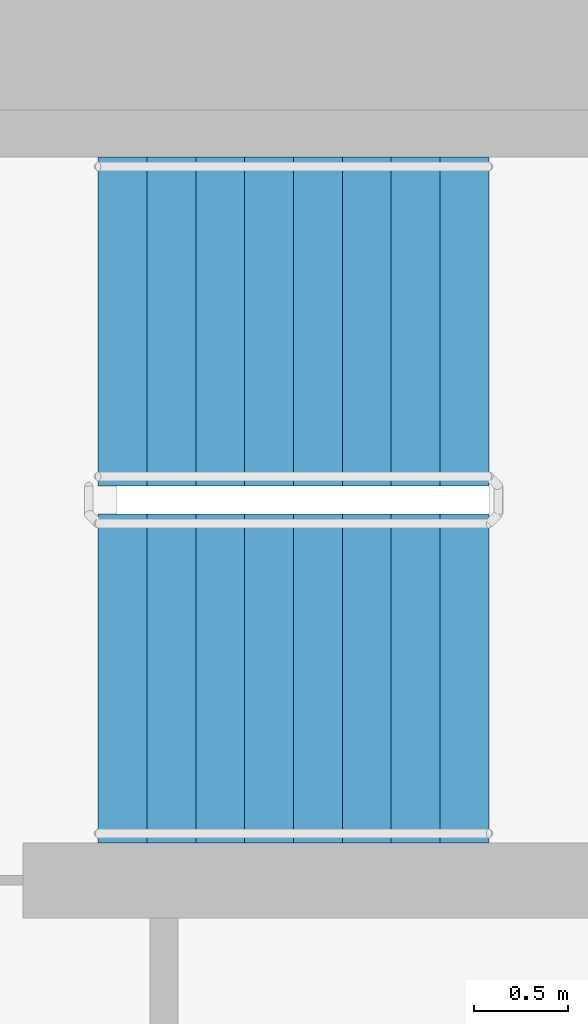
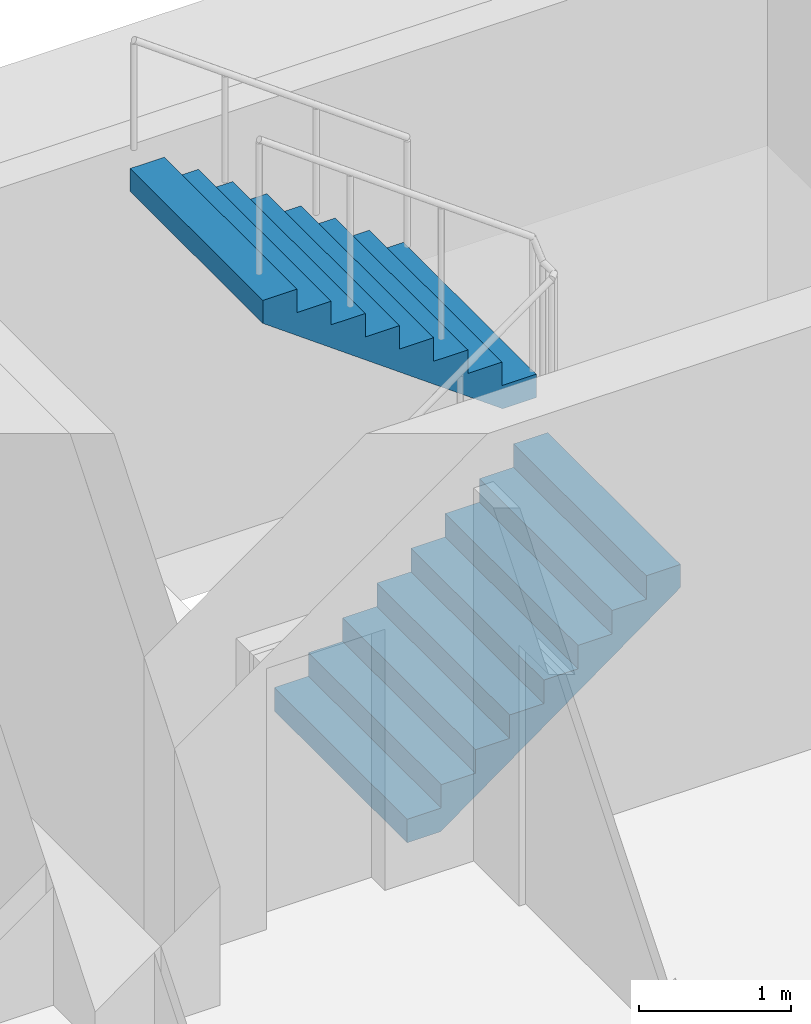
# One storey, part 17 of 22: 2 stair flights, 1 element without a shape of its own.
"""IFC4 building model written with IfcOpenShell, lengths in metres."""

from ifc_helpers import new_model, si_unit, direction, frame, origin, place, context, subcontext, project, spatial, faceted_brep, material, type_object, element, aggregate, save


model = new_model("IFC4")

# Units and contexts
model_context = context("Model", 3, precision=1e-05, world=origin(), true_north=direction((0.0, 1.0)))
body_context = subcontext(model_context, "Body", "Model", "MODEL_VIEW")
ifc_project = project(units=[si_unit("LENGTHUNIT", "METRE"), si_unit("AREAUNIT", "SQUARE_METRE"), si_unit("VOLUMEUNIT", "CUBIC_METRE"), si_unit("PLANEANGLEUNIT", "RADIAN"), si_unit("MASSUNIT", "GRAM", prefix="KILO")], contexts=[model_context])

# Site, building, storey
site_placement = place(None, origin())
site = spatial("IfcSite", under=ifc_project, at=site_placement, CompositionType="ELEMENT")
building_placement = place(site_placement, origin())
building = spatial("IfcBuilding", under=site, at=building_placement, Name="Ipe Terrace Towers", CompositionType="ELEMENT")
storey_placement = place(building_placement, frame((0.0, 0.0, 76.60009765625)))
storey = spatial("IfcBuildingStorey", under=building, at=storey_placement, Name="L20", CompositionType="ELEMENT", Elevation=76.60009765625)

# Stair, stair flights
ifc_material_1 = material(Name="Concrete C30/37", Category="concrete")
stair_type = type_object("IfcStairType", Name="Protected exit stair", PredefinedType="HALF_TURN_STAIR", material=ifc_material_1)
stair_placement = place(storey_placement, origin())
stair = element("IfcStair", 1, at=stair_placement, inside=storey, type_object=stair_type, Name="L20 Exit stair T1-C1", PredefinedType="HALF_TURN_STAIR")
ifc_material_2 = material(Name="Concrete C30/37", Category="concrete")
stair_flight_type = type_object("IfcStairFlightType", Name="Exit stair flight 1750", PredefinedType="STRAIGHT", material=ifc_material_2)
stair_flight_1_placement = place(storey_placement, frame((-26.300048828125, 2.77490234375, 0.0), z_axis=(0.0, 0.0, 1.0), x_axis=(1.0, 0.0, 0.0)))
stair_flight_1 = element("IfcStairFlight", 2, at=stair_flight_1_placement, type_object=stair_flight_type, Name="T1-ST1 flight 1", NumberOfRisers=9, NumberOfTreads=8, PredefinedType="STRAIGHT", RiserHeight=0.188888889, TreadLength=0.26, context=body_context, shape_type="Brep", body=[
    faceted_brep([(0.255126953125, -0.875, 0.0), (2.080078125, -0.875, 1.325927734375), (2.080078125, -0.875, 1.51123046875), (1.820068359375, -0.875, 1.51123046875), (1.820068359375, -0.875, 1.322265625), (1.56005859375, -0.875, 1.322265625), (1.56005859375, -0.875, 1.13330078125), (1.300048828125, -0.875, 1.13330078125), (1.300048828125, -0.875, 0.9443359375), (1.0400390625, -0.875, 0.9443359375), (1.0400390625, -0.875, 0.755615234375), (0.780029296875, -0.875, 0.755615234375), (0.780029296875, -0.875, 0.566650390625), (0.52001953125, -0.875, 0.566650390625), (0.52001953125, -0.875, 0.377685546875), (0.260009765625, -0.875, 0.377685546875), (0.260009765625, -0.875, 0.18896484375), (0.0, -0.875, 0.18896484375), (0.0, -0.875, 0.0), (0.0, 0.875, 0.0), (0.0, 0.875, 0.18896484375), (0.260009765625, 0.875, 0.18896484375), (0.260009765625, 0.875, 0.377685546875), (0.52001953125, 0.875, 0.377685546875), (0.52001953125, 0.875, 0.566650390625), (0.780029296875, 0.875, 0.566650390625), (0.780029296875, 0.875, 0.755615234375), (1.0400390625, 0.875, 0.755615234375), (1.0400390625, 0.875, 0.9443359375), (1.300048828125, 0.875, 0.9443359375), (1.300048828125, 0.875, 1.13330078125), (1.56005859375, 0.875, 1.13330078125), (1.56005859375, 0.875, 1.322265625), (1.820068359375, 0.875, 1.322265625), (1.820068359375, 0.875, 1.51123046875), (2.080078125, 0.875, 1.51123046875), (2.080078125, 0.875, 1.325927734375), (0.255126953125, 0.875, 0.0), (0.0, -0.300048828125, 0.18896484375), (0.0, -0.1201171875, 0.18896484375), (0.0, -0.06005859375, 0.18896484375), (0.0, -0.030029296875, 0.18896484375), (0.0, -0.010009765625, 0.18896484375), (0.0, 0.0, 0.18896484375), (0.0, 0.010009765625, 0.18896484375), (0.0, 0.030029296875, 0.18896484375), (0.0, 0.06005859375, 0.18896484375), (0.0, 0.1201171875, 0.18896484375), (0.0, 0.300048828125, 0.18896484375), (0.0, 0.300048828125, 0.0), (0.0, 0.1201171875, 0.0), (0.0, 0.06005859375, 0.0), (0.0, 0.030029296875, 0.0), (0.0, 0.010009765625, 0.0), (0.0, 0.0, 0.0), (0.0, -0.010009765625, 0.0), (0.0, -0.030029296875, 0.0), (0.0, -0.06005859375, 0.0), (0.0, -0.1201171875, 0.0), (0.0, -0.300048828125, 0.0), (0.260009765625, -0.300048828125, 0.18896484375), (0.260009765625, -0.1201171875, 0.18896484375), (0.260009765625, -0.06005859375, 0.18896484375), (0.260009765625, -0.030029296875, 0.18896484375), (0.260009765625, -0.010009765625, 0.18896484375), (0.260009765625, 0.0, 0.18896484375), (0.260009765625, 0.010009765625, 0.18896484375), (0.260009765625, 0.030029296875, 0.18896484375), (0.260009765625, 0.06005859375, 0.18896484375), (0.260009765625, 0.1201171875, 0.18896484375), (0.260009765625, 0.300048828125, 0.18896484375), (0.260009765625, -0.300048828125, 0.377685546875), (0.260009765625, -0.1201171875, 0.377685546875), (0.260009765625, -0.06005859375, 0.377685546875), (0.260009765625, -0.030029296875, 0.377685546875), (0.260009765625, -0.010009765625, 0.377685546875), (0.260009765625, 0.0, 0.377685546875), (0.260009765625, 0.010009765625, 0.377685546875), (0.260009765625, 0.030029296875, 0.377685546875), (0.260009765625, 0.06005859375, 0.377685546875), (0.260009765625, 0.1201171875, 0.377685546875), (0.260009765625, 0.300048828125, 0.377685546875), (0.52001953125, -0.300048828125, 0.377685546875), (0.52001953125, -0.1201171875, 0.377685546875), (0.52001953125, -0.06005859375, 0.377685546875), (0.52001953125, -0.030029296875, 0.377685546875), (0.52001953125, -0.010009765625, 0.377685546875), (0.52001953125, 0.0, 0.377685546875), (0.52001953125, 0.010009765625, 0.377685546875), (0.52001953125, 0.030029296875, 0.377685546875), (0.52001953125, 0.06005859375, 0.377685546875), (0.52001953125, 0.1201171875, 0.377685546875), (0.52001953125, 0.300048828125, 0.377685546875), (0.52001953125, -0.300048828125, 0.566650390625), (0.52001953125, -0.1201171875, 0.566650390625), (0.52001953125, -0.06005859375, 0.566650390625), (0.52001953125, -0.030029296875, 0.566650390625), (0.52001953125, -0.010009765625, 0.566650390625), (0.52001953125, 0.0, 0.566650390625), (0.52001953125, 0.010009765625, 0.566650390625), (0.52001953125, 0.030029296875, 0.566650390625), (0.52001953125, 0.06005859375, 0.566650390625), (0.52001953125, 0.1201171875, 0.566650390625), (0.52001953125, 0.300048828125, 0.566650390625), (0.780029296875, -0.300048828125, 0.566650390625), (0.780029296875, -0.1201171875, 0.566650390625), (0.780029296875, -0.06005859375, 0.566650390625), (0.780029296875, -0.030029296875, 0.566650390625), (0.780029296875, -0.010009765625, 0.566650390625), (0.780029296875, 0.0, 0.566650390625), (0.780029296875, 0.010009765625, 0.566650390625), (0.780029296875, 0.030029296875, 0.566650390625), (0.780029296875, 0.06005859375, 0.566650390625), (0.780029296875, 0.1201171875, 0.566650390625), (0.780029296875, 0.300048828125, 0.566650390625), (0.780029296875, -0.300048828125, 0.755615234375), (0.780029296875, -0.1201171875, 0.755615234375), (0.780029296875, -0.06005859375, 0.755615234375), (0.780029296875, -0.030029296875, 0.755615234375), (0.780029296875, -0.010009765625, 0.755615234375), (0.780029296875, 0.0, 0.755615234375), (0.780029296875, 0.010009765625, 0.755615234375), (0.780029296875, 0.030029296875, 0.755615234375), (0.780029296875, 0.06005859375, 0.755615234375), (0.780029296875, 0.1201171875, 0.755615234375), (0.780029296875, 0.300048828125, 0.755615234375), (1.0400390625, -0.300048828125, 0.755615234375), (1.0400390625, -0.1201171875, 0.755615234375), (1.0400390625, -0.06005859375, 0.755615234375), (1.0400390625, -0.030029296875, 0.755615234375), (1.0400390625, -0.010009765625, 0.755615234375), (1.0400390625, 0.0, 0.755615234375), (1.0400390625, 0.010009765625, 0.755615234375), (1.0400390625, 0.030029296875, 0.755615234375), (1.0400390625, 0.06005859375, 0.755615234375), (1.0400390625, 0.1201171875, 0.755615234375), (1.0400390625, 0.300048828125, 0.755615234375), (1.0400390625, -0.300048828125, 0.9443359375), (1.0400390625, -0.1201171875, 0.9443359375), (1.0400390625, -0.06005859375, 0.9443359375), (1.0400390625, -0.030029296875, 0.9443359375), (1.0400390625, -0.010009765625, 0.9443359375), (1.0400390625, 0.0, 0.9443359375), (1.0400390625, 0.010009765625, 0.9443359375), (1.0400390625, 0.030029296875, 0.9443359375), (1.0400390625, 0.06005859375, 0.9443359375), (1.0400390625, 0.1201171875, 0.9443359375), (1.0400390625, 0.300048828125, 0.9443359375), (1.300048828125, -0.300048828125, 0.9443359375), (1.300048828125, -0.1201171875, 0.9443359375), (1.300048828125, -0.06005859375, 0.9443359375), (1.300048828125, -0.030029296875, 0.9443359375), (1.300048828125, -0.010009765625, 0.9443359375), (1.300048828125, 0.0, 0.9443359375), (1.300048828125, 0.010009765625, 0.9443359375), (1.300048828125, 0.030029296875, 0.9443359375), (1.300048828125, 0.06005859375, 0.9443359375), (1.300048828125, 0.1201171875, 0.9443359375), (1.300048828125, 0.300048828125, 0.9443359375), (1.300048828125, -0.300048828125, 1.13330078125), (1.300048828125, -0.1201171875, 1.13330078125), (1.300048828125, -0.06005859375, 1.13330078125), (1.300048828125, -0.030029296875, 1.13330078125), (1.300048828125, -0.010009765625, 1.13330078125), (1.300048828125, 0.0, 1.13330078125), (1.300048828125, 0.010009765625, 1.13330078125), (1.300048828125, 0.030029296875, 1.13330078125), (1.300048828125, 0.06005859375, 1.13330078125), (1.300048828125, 0.1201171875, 1.13330078125), (1.300048828125, 0.300048828125, 1.13330078125), (1.56005859375, -0.300048828125, 1.13330078125), (1.56005859375, -0.1201171875, 1.13330078125), (1.56005859375, -0.06005859375, 1.13330078125), (1.56005859375, -0.030029296875, 1.13330078125), (1.56005859375, -0.010009765625, 1.13330078125), (1.56005859375, 0.0, 1.13330078125), (1.56005859375, 0.010009765625, 1.13330078125), (1.56005859375, 0.030029296875, 1.13330078125), (1.56005859375, 0.06005859375, 1.13330078125), (1.56005859375, 0.1201171875, 1.13330078125), (1.56005859375, 0.300048828125, 1.13330078125), (1.56005859375, -0.300048828125, 1.322265625), (1.56005859375, -0.1201171875, 1.322265625), (1.56005859375, -0.06005859375, 1.322265625), (1.56005859375, -0.030029296875, 1.322265625), (1.56005859375, -0.010009765625, 1.322265625), (1.56005859375, 0.0, 1.322265625), (1.56005859375, 0.010009765625, 1.322265625), (1.56005859375, 0.030029296875, 1.322265625), (1.56005859375, 0.06005859375, 1.322265625), (1.56005859375, 0.1201171875, 1.322265625), (1.56005859375, 0.300048828125, 1.322265625), (1.820068359375, -0.300048828125, 1.322265625), (1.820068359375, -0.1201171875, 1.322265625), (1.820068359375, -0.06005859375, 1.322265625), (1.820068359375, -0.030029296875, 1.322265625), (1.820068359375, -0.010009765625, 1.322265625), (1.820068359375, 0.0, 1.322265625), (1.820068359375, 0.010009765625, 1.322265625), (1.820068359375, 0.030029296875, 1.322265625), (1.820068359375, 0.06005859375, 1.322265625), (1.820068359375, 0.1201171875, 1.322265625), (1.820068359375, 0.300048828125, 1.322265625), (1.820068359375, -0.300048828125, 1.51123046875), (1.820068359375, -0.1201171875, 1.51123046875), (1.820068359375, -0.06005859375, 1.51123046875), (1.820068359375, -0.030029296875, 1.51123046875), (1.820068359375, -0.010009765625, 1.51123046875), (1.820068359375, 0.0, 1.51123046875), (1.820068359375, 0.010009765625, 1.51123046875), (1.820068359375, 0.030029296875, 1.51123046875), (1.820068359375, 0.06005859375, 1.51123046875), (1.820068359375, 0.1201171875, 1.51123046875), (1.820068359375, 0.300048828125, 1.51123046875), (2.080078125, -0.300048828125, 1.51123046875), (2.080078125, -0.1201171875, 1.51123046875), (2.080078125, -0.06005859375, 1.51123046875), (2.080078125, -0.030029296875, 1.51123046875), (2.080078125, -0.010009765625, 1.51123046875), (2.080078125, 0.0, 1.51123046875), (2.080078125, 0.010009765625, 1.51123046875), (2.080078125, 0.030029296875, 1.51123046875), (2.080078125, 0.06005859375, 1.51123046875), (2.080078125, 0.1201171875, 1.51123046875), (2.080078125, 0.300048828125, 1.51123046875), (2.080078125, -0.300048828125, 1.325927734375), (2.080078125, -0.1201171875, 1.325927734375), (2.080078125, -0.06005859375, 1.325927734375), (2.080078125, -0.030029296875, 1.325927734375), (2.080078125, -0.010009765625, 1.325927734375), (2.080078125, 0.0, 1.325927734375), (2.080078125, 0.010009765625, 1.325927734375), (2.080078125, 0.030029296875, 1.325927734375), (2.080078125, 0.06005859375, 1.325927734375), (2.080078125, 0.1201171875, 1.325927734375), (2.080078125, 0.300048828125, 1.325927734375), (0.255126953125, -0.300048828125, 0.0), (0.255126953125, -0.1201171875, 0.0), (0.255126953125, -0.06005859375, 0.0), (0.255126953125, -0.030029296875, 0.0), (0.255126953125, -0.010009765625, 0.0), (0.255126953125, 0.0, 0.0), (0.255126953125, 0.010009765625, 0.0), (0.255126953125, 0.030029296875, 0.0), (0.255126953125, 0.06005859375, 0.0), (0.255126953125, 0.1201171875, 0.0), (0.255126953125, 0.300048828125, 0.0)], [[[0, 1, 2, 3, 4, 5, 6, 7, 8, 9, 10, 11, 12, 13, 14, 15, 16, 17, 18]], [[19, 20, 21, 22, 23, 24, 25, 26, 27, 28, 29, 30, 31, 32, 33, 34, 35, 36, 37]], [[17, 38, 39, 40, 41, 42, 43, 44, 45, 46, 47, 48, 20, 19, 49, 50, 51, 52, 53, 54, 55, 56, 57, 58, 59, 18]], [[16, 60, 61, 62, 63, 64, 65, 66, 67, 68, 69, 70, 21, 20, 48, 47, 46, 45, 44, 43, 42, 41, 40, 39, 38, 17]], [[15, 71, 72, 73, 74, 75, 76, 77, 78, 79, 80, 81, 22, 21, 70, 69, 68, 67, 66, 65, 64, 63, 62, 61, 60, 16]], [[14, 82, 83, 84, 85, 86, 87, 88, 89, 90, 91, 92, 23, 22, 81, 80, 79, 78, 77, 76, 75, 74, 73, 72, 71, 15]], [[13, 93, 94, 95, 96, 97, 98, 99, 100, 101, 102, 103, 24, 23, 92, 91, 90, 89, 88, 87, 86, 85, 84, 83, 82, 14]], [[12, 104, 105, 106, 107, 108, 109, 110, 111, 112, 113, 114, 25, 24, 103, 102, 101, 100, 99, 98, 97, 96, 95, 94, 93, 13]], [[11, 115, 116, 117, 118, 119, 120, 121, 122, 123, 124, 125, 26, 25, 114, 113, 112, 111, 110, 109, 108, 107, 106, 105, 104, 12]], [[10, 126, 127, 128, 129, 130, 131, 132, 133, 134, 135, 136, 27, 26, 125, 124, 123, 122, 121, 120, 119, 118, 117, 116, 115, 11]], [[9, 137, 138, 139, 140, 141, 142, 143, 144, 145, 146, 147, 28, 27, 136, 135, 134, 133, 132, 131, 130, 129, 128, 127, 126, 10]], [[8, 148, 149, 150, 151, 152, 153, 154, 155, 156, 157, 158, 29, 28, 147, 146, 145, 144, 143, 142, 141, 140, 139, 138, 137, 9]], [[7, 159, 160, 161, 162, 163, 164, 165, 166, 167, 168, 169, 30, 29, 158, 157, 156, 155, 154, 153, 152, 151, 150, 149, 148, 8]], [[6, 170, 171, 172, 173, 174, 175, 176, 177, 178, 179, 180, 31, 30, 169, 168, 167, 166, 165, 164, 163, 162, 161, 160, 159, 7]], [[5, 181, 182, 183, 184, 185, 186, 187, 188, 189, 190, 191, 32, 31, 180, 179, 178, 177, 176, 175, 174, 173, 172, 171, 170, 6]], [[4, 192, 193, 194, 195, 196, 197, 198, 199, 200, 201, 202, 33, 32, 191, 190, 189, 188, 187, 186, 185, 184, 183, 182, 181, 5]], [[3, 203, 204, 205, 206, 207, 208, 209, 210, 211, 212, 213, 34, 33, 202, 201, 200, 199, 198, 197, 196, 195, 194, 193, 192, 4]], [[2, 214, 215, 216, 217, 218, 219, 220, 221, 222, 223, 224, 35, 34, 213, 212, 211, 210, 209, 208, 207, 206, 205, 204, 203, 3]], [[1, 225, 226, 227, 228, 229, 230, 231, 232, 233, 234, 235, 36, 35, 224, 223, 222, 221, 220, 219, 218, 217, 216, 215, 214, 2]], [[0, 236, 237, 238, 239, 240, 241, 242, 243, 244, 245, 246, 37, 36, 235, 234, 233, 232, 231, 230, 229, 228, 227, 226, 225, 1]], [[18, 59, 58, 57, 56, 55, 54, 53, 52, 51, 50, 49, 19, 37, 246, 245, 244, 243, 242, 241, 240, 239, 238, 237, 236, 0]]]),
])
stair_flight_2_placement = place(storey_placement, frame((-24.219970703125, 4.675048828125, 1.699951171875), z_axis=(0.0, 0.0, 1.0), x_axis=(-1.0, 0.0, 0.0)))
stair_flight_2 = element("IfcStairFlight", 3, at=stair_flight_2_placement, type_object=stair_flight_type, Name="T1-ST1 flight 2", NumberOfRisers=9, NumberOfTreads=8, PredefinedType="STRAIGHT", RiserHeight=0.188888889, TreadLength=0.26, context=body_context, shape_type="Brep", body=[
    faceted_brep([(0.255126953125, -0.875, 0.0), (2.080078125, -0.875, 1.325927734375), (2.080078125, -0.875, 1.51123046875), (1.820068359375, -0.875, 1.51123046875), (1.820068359375, -0.875, 1.322265625), (1.56005859375, -0.875, 1.322265625), (1.56005859375, -0.875, 1.13330078125), (1.300048828125, -0.875, 1.13330078125), (1.300048828125, -0.875, 0.9443359375), (1.0400390625, -0.875, 0.9443359375), (1.0400390625, -0.875, 0.755615234375), (0.780029296875, -0.875, 0.755615234375), (0.780029296875, -0.875, 0.566650390625), (0.52001953125, -0.875, 0.566650390625), (0.52001953125, -0.875, 0.377685546875), (0.260009765625, -0.875, 0.377685546875), (0.260009765625, -0.875, 0.18896484375), (0.0, -0.875, 0.18896484375), (0.0, -0.875, 0.0), (0.0, 0.875, 0.0), (0.0, 0.875, 0.18896484375), (0.260009765625, 0.875, 0.18896484375), (0.260009765625, 0.875, 0.377685546875), (0.52001953125, 0.875, 0.377685546875), (0.52001953125, 0.875, 0.566650390625), (0.780029296875, 0.875, 0.566650390625), (0.780029296875, 0.875, 0.755615234375), (1.0400390625, 0.875, 0.755615234375), (1.0400390625, 0.875, 0.9443359375), (1.300048828125, 0.875, 0.9443359375), (1.300048828125, 0.875, 1.13330078125), (1.56005859375, 0.875, 1.13330078125), (1.56005859375, 0.875, 1.322265625), (1.820068359375, 0.875, 1.322265625), (1.820068359375, 0.875, 1.51123046875), (2.080078125, 0.875, 1.51123046875), (2.080078125, 0.875, 1.325927734375), (0.255126953125, 0.875, 0.0), (0.0, -0.300048828125, 0.18896484375), (0.0, -0.1201171875, 0.18896484375), (0.0, -0.06005859375, 0.18896484375), (0.0, -0.030029296875, 0.18896484375), (0.0, -0.010009765625, 0.18896484375), (0.0, 0.0, 0.18896484375), (0.0, 0.010009765625, 0.18896484375), (0.0, 0.030029296875, 0.18896484375), (0.0, 0.06005859375, 0.18896484375), (0.0, 0.1201171875, 0.18896484375), (0.0, 0.300048828125, 0.18896484375), (0.0, 0.300048828125, 0.0), (0.0, 0.1201171875, 0.0), (0.0, 0.06005859375, 0.0), (0.0, 0.030029296875, 0.0), (0.0, 0.010009765625, 0.0), (0.0, 0.0, 0.0), (0.0, -0.010009765625, 0.0), (0.0, -0.030029296875, 0.0), (0.0, -0.06005859375, 0.0), (0.0, -0.1201171875, 0.0), (0.0, -0.300048828125, 0.0), (0.260009765625, -0.300048828125, 0.18896484375), (0.260009765625, -0.1201171875, 0.18896484375), (0.260009765625, -0.06005859375, 0.18896484375), (0.260009765625, -0.030029296875, 0.18896484375), (0.260009765625, -0.010009765625, 0.18896484375), (0.260009765625, 0.0, 0.18896484375), (0.260009765625, 0.010009765625, 0.18896484375), (0.260009765625, 0.030029296875, 0.18896484375), (0.260009765625, 0.06005859375, 0.18896484375), (0.260009765625, 0.1201171875, 0.18896484375), (0.260009765625, 0.300048828125, 0.18896484375), (0.260009765625, -0.300048828125, 0.377685546875), (0.260009765625, -0.1201171875, 0.377685546875), (0.260009765625, -0.06005859375, 0.377685546875), (0.260009765625, -0.030029296875, 0.377685546875), (0.260009765625, -0.010009765625, 0.377685546875), (0.260009765625, 0.0, 0.377685546875), (0.260009765625, 0.010009765625, 0.377685546875), (0.260009765625, 0.030029296875, 0.377685546875), (0.260009765625, 0.06005859375, 0.377685546875), (0.260009765625, 0.1201171875, 0.377685546875), (0.260009765625, 0.300048828125, 0.377685546875), (0.52001953125, -0.300048828125, 0.377685546875), (0.52001953125, -0.1201171875, 0.377685546875), (0.52001953125, -0.06005859375, 0.377685546875), (0.52001953125, -0.030029296875, 0.377685546875), (0.52001953125, -0.010009765625, 0.377685546875), (0.52001953125, 0.0, 0.377685546875), (0.52001953125, 0.010009765625, 0.377685546875), (0.52001953125, 0.030029296875, 0.377685546875), (0.52001953125, 0.06005859375, 0.377685546875), (0.52001953125, 0.1201171875, 0.377685546875), (0.52001953125, 0.300048828125, 0.377685546875), (0.52001953125, -0.300048828125, 0.566650390625), (0.52001953125, -0.1201171875, 0.566650390625), (0.52001953125, -0.06005859375, 0.566650390625), (0.52001953125, -0.030029296875, 0.566650390625), (0.52001953125, -0.010009765625, 0.566650390625), (0.52001953125, 0.0, 0.566650390625), (0.52001953125, 0.010009765625, 0.566650390625), (0.52001953125, 0.030029296875, 0.566650390625), (0.52001953125, 0.06005859375, 0.566650390625), (0.52001953125, 0.1201171875, 0.566650390625), (0.52001953125, 0.300048828125, 0.566650390625), (0.780029296875, -0.300048828125, 0.566650390625), (0.780029296875, -0.1201171875, 0.566650390625), (0.780029296875, -0.06005859375, 0.566650390625), (0.780029296875, -0.030029296875, 0.566650390625), (0.780029296875, -0.010009765625, 0.566650390625), (0.780029296875, 0.0, 0.566650390625), (0.780029296875, 0.010009765625, 0.566650390625), (0.780029296875, 0.030029296875, 0.566650390625), (0.780029296875, 0.06005859375, 0.566650390625), (0.780029296875, 0.1201171875, 0.566650390625), (0.780029296875, 0.300048828125, 0.566650390625), (0.780029296875, -0.300048828125, 0.755615234375), (0.780029296875, -0.1201171875, 0.755615234375), (0.780029296875, -0.06005859375, 0.755615234375), (0.780029296875, -0.030029296875, 0.755615234375), (0.780029296875, -0.010009765625, 0.755615234375), (0.780029296875, 0.0, 0.755615234375), (0.780029296875, 0.010009765625, 0.755615234375), (0.780029296875, 0.030029296875, 0.755615234375), (0.780029296875, 0.06005859375, 0.755615234375), (0.780029296875, 0.1201171875, 0.755615234375), (0.780029296875, 0.300048828125, 0.755615234375), (1.0400390625, -0.300048828125, 0.755615234375), (1.0400390625, -0.1201171875, 0.755615234375), (1.0400390625, -0.06005859375, 0.755615234375), (1.0400390625, -0.030029296875, 0.755615234375), (1.0400390625, -0.010009765625, 0.755615234375), (1.0400390625, 0.0, 0.755615234375), (1.0400390625, 0.010009765625, 0.755615234375), (1.0400390625, 0.030029296875, 0.755615234375), (1.0400390625, 0.06005859375, 0.755615234375), (1.0400390625, 0.1201171875, 0.755615234375), (1.0400390625, 0.300048828125, 0.755615234375), (1.0400390625, -0.300048828125, 0.9443359375), (1.0400390625, -0.1201171875, 0.9443359375), (1.0400390625, -0.06005859375, 0.9443359375), (1.0400390625, -0.030029296875, 0.9443359375), (1.0400390625, -0.010009765625, 0.9443359375), (1.0400390625, 0.0, 0.9443359375), (1.0400390625, 0.010009765625, 0.9443359375), (1.0400390625, 0.030029296875, 0.9443359375), (1.0400390625, 0.06005859375, 0.9443359375), (1.0400390625, 0.1201171875, 0.9443359375), (1.0400390625, 0.300048828125, 0.9443359375), (1.300048828125, -0.300048828125, 0.9443359375), (1.300048828125, -0.1201171875, 0.9443359375), (1.300048828125, -0.06005859375, 0.9443359375), (1.300048828125, -0.030029296875, 0.9443359375), (1.300048828125, -0.010009765625, 0.9443359375), (1.300048828125, 0.0, 0.9443359375), (1.300048828125, 0.010009765625, 0.9443359375), (1.300048828125, 0.030029296875, 0.9443359375), (1.300048828125, 0.06005859375, 0.9443359375), (1.300048828125, 0.1201171875, 0.9443359375), (1.300048828125, 0.300048828125, 0.9443359375), (1.300048828125, -0.300048828125, 1.13330078125), (1.300048828125, -0.1201171875, 1.13330078125), (1.300048828125, -0.06005859375, 1.13330078125), (1.300048828125, -0.030029296875, 1.13330078125), (1.300048828125, -0.010009765625, 1.13330078125), (1.300048828125, 0.0, 1.13330078125), (1.300048828125, 0.010009765625, 1.13330078125), (1.300048828125, 0.030029296875, 1.13330078125), (1.300048828125, 0.06005859375, 1.13330078125), (1.300048828125, 0.1201171875, 1.13330078125), (1.300048828125, 0.300048828125, 1.13330078125), (1.56005859375, -0.300048828125, 1.13330078125), (1.56005859375, -0.1201171875, 1.13330078125), (1.56005859375, -0.06005859375, 1.13330078125), (1.56005859375, -0.030029296875, 1.13330078125), (1.56005859375, -0.010009765625, 1.13330078125), (1.56005859375, 0.0, 1.13330078125), (1.56005859375, 0.010009765625, 1.13330078125), (1.56005859375, 0.030029296875, 1.13330078125), (1.56005859375, 0.06005859375, 1.13330078125), (1.56005859375, 0.1201171875, 1.13330078125), (1.56005859375, 0.300048828125, 1.13330078125), (1.56005859375, -0.300048828125, 1.322265625), (1.56005859375, -0.1201171875, 1.322265625), (1.56005859375, -0.06005859375, 1.322265625), (1.56005859375, -0.030029296875, 1.322265625), (1.56005859375, -0.010009765625, 1.322265625), (1.56005859375, 0.0, 1.322265625), (1.56005859375, 0.010009765625, 1.322265625), (1.56005859375, 0.030029296875, 1.322265625), (1.56005859375, 0.06005859375, 1.322265625), (1.56005859375, 0.1201171875, 1.322265625), (1.56005859375, 0.300048828125, 1.322265625), (1.820068359375, -0.300048828125, 1.322265625), (1.820068359375, -0.1201171875, 1.322265625), (1.820068359375, -0.06005859375, 1.322265625), (1.820068359375, -0.030029296875, 1.322265625), (1.820068359375, -0.010009765625, 1.322265625), (1.820068359375, 0.0, 1.322265625), (1.820068359375, 0.010009765625, 1.322265625), (1.820068359375, 0.030029296875, 1.322265625), (1.820068359375, 0.06005859375, 1.322265625), (1.820068359375, 0.1201171875, 1.322265625), (1.820068359375, 0.300048828125, 1.322265625), (1.820068359375, -0.300048828125, 1.51123046875), (1.820068359375, -0.1201171875, 1.51123046875), (1.820068359375, -0.06005859375, 1.51123046875), (1.820068359375, -0.030029296875, 1.51123046875), (1.820068359375, -0.010009765625, 1.51123046875), (1.820068359375, 0.0, 1.51123046875), (1.820068359375, 0.010009765625, 1.51123046875), (1.820068359375, 0.030029296875, 1.51123046875), (1.820068359375, 0.06005859375, 1.51123046875), (1.820068359375, 0.1201171875, 1.51123046875), (1.820068359375, 0.300048828125, 1.51123046875), (2.080078125, -0.300048828125, 1.51123046875), (2.080078125, -0.1201171875, 1.51123046875), (2.080078125, -0.06005859375, 1.51123046875), (2.080078125, -0.030029296875, 1.51123046875), (2.080078125, -0.010009765625, 1.51123046875), (2.080078125, 0.0, 1.51123046875), (2.080078125, 0.010009765625, 1.51123046875), (2.080078125, 0.030029296875, 1.51123046875), (2.080078125, 0.06005859375, 1.51123046875), (2.080078125, 0.1201171875, 1.51123046875), (2.080078125, 0.300048828125, 1.51123046875), (2.080078125, -0.300048828125, 1.325927734375), (2.080078125, -0.1201171875, 1.325927734375), (2.080078125, -0.06005859375, 1.325927734375), (2.080078125, -0.030029296875, 1.325927734375), (2.080078125, -0.010009765625, 1.325927734375), (2.080078125, 0.0, 1.325927734375), (2.080078125, 0.010009765625, 1.325927734375), (2.080078125, 0.030029296875, 1.325927734375), (2.080078125, 0.06005859375, 1.325927734375), (2.080078125, 0.1201171875, 1.325927734375), (2.080078125, 0.300048828125, 1.325927734375), (0.255126953125, -0.300048828125, 0.0), (0.255126953125, -0.1201171875, 0.0), (0.255126953125, -0.06005859375, 0.0), (0.255126953125, -0.030029296875, 0.0), (0.255126953125, -0.010009765625, 0.0), (0.255126953125, 0.0, 0.0), (0.255126953125, 0.010009765625, 0.0), (0.255126953125, 0.030029296875, 0.0), (0.255126953125, 0.06005859375, 0.0), (0.255126953125, 0.1201171875, 0.0), (0.255126953125, 0.300048828125, 0.0)], [[[0, 1, 2, 3, 4, 5, 6, 7, 8, 9, 10, 11, 12, 13, 14, 15, 16, 17, 18]], [[19, 20, 21, 22, 23, 24, 25, 26, 27, 28, 29, 30, 31, 32, 33, 34, 35, 36, 37]], [[17, 38, 39, 40, 41, 42, 43, 44, 45, 46, 47, 48, 20, 19, 49, 50, 51, 52, 53, 54, 55, 56, 57, 58, 59, 18]], [[16, 60, 61, 62, 63, 64, 65, 66, 67, 68, 69, 70, 21, 20, 48, 47, 46, 45, 44, 43, 42, 41, 40, 39, 38, 17]], [[15, 71, 72, 73, 74, 75, 76, 77, 78, 79, 80, 81, 22, 21, 70, 69, 68, 67, 66, 65, 64, 63, 62, 61, 60, 16]], [[14, 82, 83, 84, 85, 86, 87, 88, 89, 90, 91, 92, 23, 22, 81, 80, 79, 78, 77, 76, 75, 74, 73, 72, 71, 15]], [[13, 93, 94, 95, 96, 97, 98, 99, 100, 101, 102, 103, 24, 23, 92, 91, 90, 89, 88, 87, 86, 85, 84, 83, 82, 14]], [[12, 104, 105, 106, 107, 108, 109, 110, 111, 112, 113, 114, 25, 24, 103, 102, 101, 100, 99, 98, 97, 96, 95, 94, 93, 13]], [[11, 115, 116, 117, 118, 119, 120, 121, 122, 123, 124, 125, 26, 25, 114, 113, 112, 111, 110, 109, 108, 107, 106, 105, 104, 12]], [[10, 126, 127, 128, 129, 130, 131, 132, 133, 134, 135, 136, 27, 26, 125, 124, 123, 122, 121, 120, 119, 118, 117, 116, 115, 11]], [[9, 137, 138, 139, 140, 141, 142, 143, 144, 145, 146, 147, 28, 27, 136, 135, 134, 133, 132, 131, 130, 129, 128, 127, 126, 10]], [[8, 148, 149, 150, 151, 152, 153, 154, 155, 156, 157, 158, 29, 28, 147, 146, 145, 144, 143, 142, 141, 140, 139, 138, 137, 9]], [[7, 159, 160, 161, 162, 163, 164, 165, 166, 167, 168, 169, 30, 29, 158, 157, 156, 155, 154, 153, 152, 151, 150, 149, 148, 8]], [[6, 170, 171, 172, 173, 174, 175, 176, 177, 178, 179, 180, 31, 30, 169, 168, 167, 166, 165, 164, 163, 162, 161, 160, 159, 7]], [[5, 181, 182, 183, 184, 185, 186, 187, 188, 189, 190, 191, 32, 31, 180, 179, 178, 177, 176, 175, 174, 173, 172, 171, 170, 6]], [[4, 192, 193, 194, 195, 196, 197, 198, 199, 200, 201, 202, 33, 32, 191, 190, 189, 188, 187, 186, 185, 184, 183, 182, 181, 5]], [[3, 203, 204, 205, 206, 207, 208, 209, 210, 211, 212, 213, 34, 33, 202, 201, 200, 199, 198, 197, 196, 195, 194, 193, 192, 4]], [[2, 214, 215, 216, 217, 218, 219, 220, 221, 222, 223, 224, 35, 34, 213, 212, 211, 210, 209, 208, 207, 206, 205, 204, 203, 3]], [[1, 225, 226, 227, 228, 229, 230, 231, 232, 233, 234, 235, 36, 35, 224, 223, 222, 221, 220, 219, 218, 217, 216, 215, 214, 2]], [[0, 236, 237, 238, 239, 240, 241, 242, 243, 244, 245, 246, 37, 36, 235, 234, 233, 232, 231, 230, 229, 228, 227, 226, 225, 1]], [[18, 59, 58, 57, 56, 55, 54, 53, 52, 51, 50, 49, 19, 37, 246, 245, 244, 243, 242, 241, 240, 239, 238, 237, 236, 0]]]),
])
aggregate(stair, [stair_flight_1, stair_flight_2])

save(model, "model.ifc")
